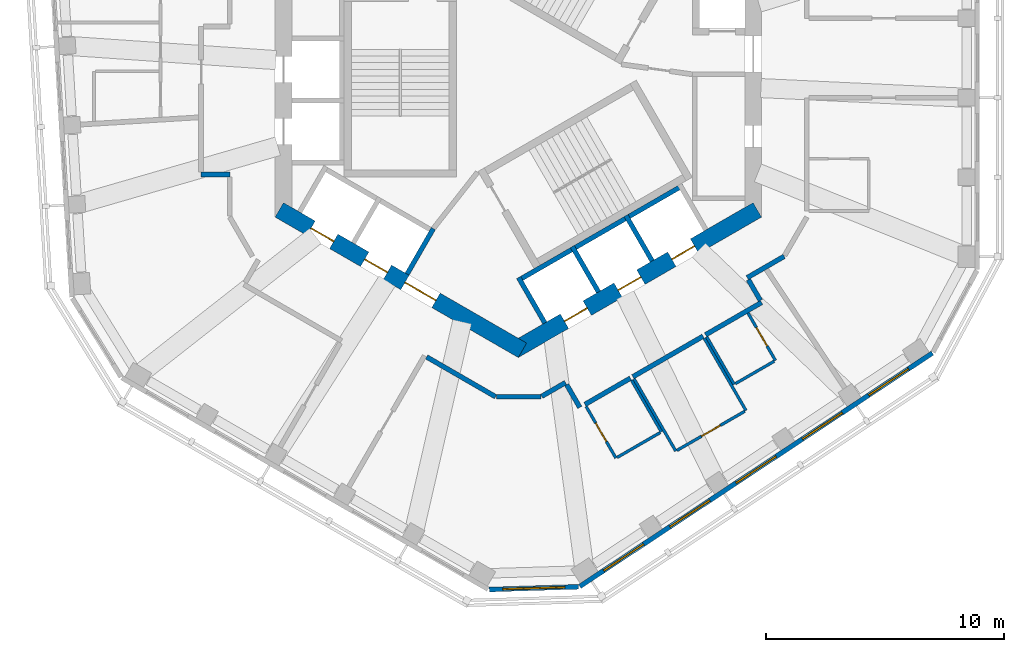
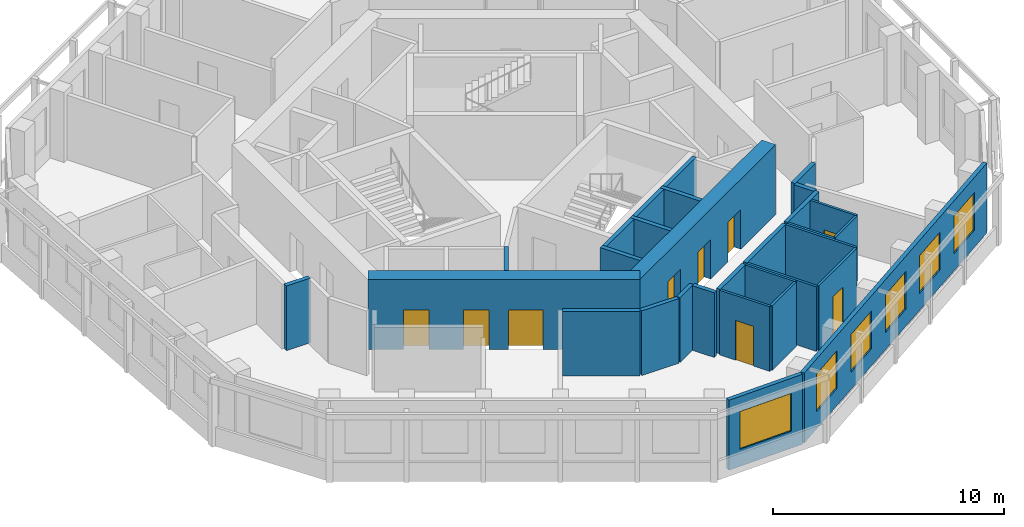
# One storey, part 4 of 11: 28 walls, 9 doors, 6 windows, 15 openings.
"""IFC4 building model written with IfcOpenShell, lengths in metres."""

from ifc_helpers import new_model, si_unit, direction, frame, frame_2d, origin, place, context, subcontext, project, spatial, rectangle, extrude, material, layer, layer_set, type_object, element, fill, save


model = new_model("IFC4")

# Units and contexts
model_context = context("Model", 3, precision=1e-05, world=origin(), true_north=direction((0.0, 1.0)))
body_context = subcontext(model_context, "Body", "Model", "MODEL_VIEW")
ifc_project = project(units=[si_unit("LENGTHUNIT", "METRE"), si_unit("AREAUNIT", "SQUARE_METRE"), si_unit("VOLUMEUNIT", "CUBIC_METRE"), si_unit("PLANEANGLEUNIT", "RADIAN"), si_unit("MASSUNIT", "GRAM", prefix="KILO")], contexts=[model_context])

# Site, building, storey
site_placement = place(None, origin())
site = spatial("IfcSite", under=ifc_project, at=site_placement, CompositionType="ELEMENT")
building_placement = place(site_placement, origin())
building = spatial("IfcBuilding", under=site, at=building_placement, Name="Vanh Sen Convention Tower", CompositionType="ELEMENT")
storey_placement = place(building_placement, frame((0.0, 0.0, 293.10009765625)))
storey = spatial("IfcBuildingStorey", under=building, at=storey_placement, Name="L72", CompositionType="ELEMENT", Elevation=293.10009765625)

# Wall, opening, door
ifc_material_1 = material(Name="Moisture-resistant gypsum board on steel studs", Category="steel")
ifc_layer_1 = layer(ifc_material_1, 0.1201171875)
ifc_layer_set_1 = layer_set([ifc_layer_1], Name="Moisture-resistant gypsum board on steel studs")
wall_type_1 = type_object("IfcWallType", Name="Bathroom partition 120", PredefinedType="PARTITIONING", material=ifc_layer_set_1)
wall_1_placement = place(storey_placement, frame((4.095703125, -15.99609375, 0.0), z_axis=(0.0, 0.0, 1.0), x_axis=(-0.500004234368, 0.866022959057, 0.0)))
wall_1 = element("IfcWall", 1, at=wall_1_placement, inside=storey, type_object=wall_type_1, Name="Bathroom partition 120", PredefinedType="PARTITIONING", context=body_context, shape_type="SweptSolid", body=[
    extrude(rectangle(XDim=2.5, YDim=0.1201171875, at=frame_2d((1.25, 0.0))), origin(), (0.0, 0.0, 1.0), 3.419921875),
])
opening_1_placement = place(wall_1_placement, frame((0.800048828125, 0.0, 0.0)))
opening_1 = element("IfcOpeningElement", 2, at=opening_1_placement, cuts=wall_1, Name="Opening D72116", PredefinedType="OPENING", context=body_context, shape_type="SweptSolid", body=[
    extrude(rectangle(XDim=0.89990234375, YDim=2.10009765625, at=frame_2d((0.449951171875, 1.050048828125))), frame((0.0, 0.070068359375, 0.0), z_axis=(0.0, -1.0, 0.0), x_axis=(1.0, 0.0, 0.0)), (0.0, 0.0, 1.0), 0.14013671875),
])
ifc_material_2 = material(Name="Laminate door in steel frame", Category="steel")
door_type_1 = type_object("IfcDoorType", Name="Room internal door 900", OperationType="SINGLE_SWING_LEFT", PredefinedType="DOOR", material=ifc_material_2)
door_1_placement = place(opening_1_placement, origin())
door_1 = element("IfcDoor", 3, at=door_1_placement, inside=storey, type_object=door_type_1, Name="Internal room door D72116", OperationType="SINGLE_SWING_LEFT", OverallHeight=2.10009765625, OverallWidth=0.89990234375, PredefinedType="DOOR", context=body_context, shape_type="SweptSolid", body=[
    extrude(rectangle(XDim=0.89990234375, YDim=2.10009765625, at=frame_2d((0.449951171875, 1.050048828125))), frame((0.0, 0.02490234375, 0.0), z_axis=(0.0, -1.0, 0.0), x_axis=(1.0, 0.0, 0.0)), (0.0, 0.0, 1.0), 0.050048828125),
])
fill(opening_1, door_1)

# Walls
wall_2_placement = place(storey_placement, frame((4.751220703125, -12.731201171875, 0.0), z_axis=(0.0, 0.0, 1.0), x_axis=(0.500004234368, -0.866022959057, 0.0)))
element("IfcWall", 4, at=wall_2_placement, inside=storey, type_object=wall_type_1, Name="Bathroom partition 120", PredefinedType="PARTITIONING", context=body_context, shape_type="SweptSolid", body=[
    extrude(rectangle(XDim=2.5, YDim=0.1201171875, at=frame_2d((1.25, 0.0))), origin(), (0.0, 0.0, 1.0), 3.419921875),
])
wall_3_placement = place(storey_placement, frame((5.94921875, -14.92626953125, 0.0), z_axis=(0.0, 0.0, 1.0), x_axis=(-0.866039004929, -0.499976441387, 0.0)))
element("IfcWall", 5, at=wall_3_placement, inside=storey, type_object=wall_type_1, Name="Bathroom partition 120", PredefinedType="PARTITIONING", context=body_context, shape_type="SweptSolid", body=[
    extrude(rectangle(XDim=2.080078125, YDim=0.1201171875, at=frame_2d((1.0400390625, 0.0))), origin(), (0.0, 0.0, 1.0), 3.419921875),
])
for number, where, z_axis, x_axis, name in (
    (6, (6.60498046875, -15.7021484375, 0.0), (0.0, 0.0, 1.0), (-0.500010275428, 0.866019471182, 0.0), "Bathroom partition 120"),
    (7, (7.799560546875, -10.97119140625, 0.0), (0.0, 0.0, 1.0), (0.500010275428, -0.866019471182, 0.0), "Bathroom partition 120"),
):
    element("IfcWall", number, at=place(storey_placement, frame(where, z_axis=z_axis, x_axis=x_axis)), inside=storey, type_object=wall_type_1, Name=name, PredefinedType="PARTITIONING", context=body_context, shape_type="SweptSolid", body=[
        extrude(rectangle(XDim=3.5, YDim=0.1201171875, at=frame_2d((1.75, 0.0))), origin(), (0.0, 0.0, 1.0), 3.419921875),
    ])
wall_4_placement = place(storey_placement, frame((9.053466796875, -12.903076171875, 0.0), z_axis=(0.0, 0.0, 1.0), x_axis=(-0.500031774688, 0.866007057882, 0.0)))
element("IfcWall", 8, at=wall_4_placement, inside=storey, type_object=wall_type_1, Name="Bathroom partition 120", PredefinedType="PARTITIONING", context=body_context, shape_type="SweptSolid", body=[
    extrude(rectangle(XDim=2.300048828125, YDim=0.1201171875, at=frame_2d((1.14990234375, 0.0))), origin(), (0.0, 0.0, 1.0), 3.419921875),
])

# Wall, opening, door
wall_5_placement = place(storey_placement, frame((9.49755859375, -14.0322265625, 0.0), z_axis=(0.0, 0.0, 1.0), x_axis=(-0.866040564224, -0.499973740429, 0.0)))
wall_5 = element("IfcWall", 9, at=wall_5_placement, inside=storey, type_object=wall_type_1, Name="Bathroom partition 120", PredefinedType="PARTITIONING", context=body_context, shape_type="SweptSolid", body=[
    extrude(rectangle(XDim=3.280029296875, YDim=0.1201171875, at=frame_2d((1.64013671875, 0.0))), origin(), (0.0, 0.0, 1.0), 3.419921875),
])
opening_2_placement = place(wall_5_placement, frame((1.18994140625, 0.0, 0.0)))
opening_2 = element("IfcOpeningElement", 10, at=opening_2_placement, cuts=wall_5, Name="Opening D72117", PredefinedType="OPENING", context=body_context, shape_type="SweptSolid", body=[
    extrude(rectangle(XDim=0.89990234375, YDim=2.10009765625, at=frame_2d((0.449951171875, 1.050048828125))), frame((0.0, 0.070068359375, 0.0), z_axis=(0.0, -1.0, 0.0), x_axis=(1.0, 0.0, 0.0)), (0.0, 0.0, 1.0), 0.14013671875),
])
door_2_placement = place(opening_2_placement, origin())
door_2 = element("IfcDoor", 11, at=door_2_placement, inside=storey, type_object=door_type_1, Name="Internal room door D72117", OperationType="SINGLE_SWING_LEFT", OverallHeight=2.10009765625, OverallWidth=0.89990234375, PredefinedType="DOOR", context=body_context, shape_type="SweptSolid", body=[
    extrude(rectangle(XDim=0.89990234375, YDim=2.10009765625, at=frame_2d((0.449951171875, 1.050048828125))), frame((0.0, 0.02490234375, 0.0), z_axis=(0.0, -1.0, 0.0), x_axis=(1.0, 0.0, 0.0)), (0.0, 0.0, 1.0), 0.050048828125),
])
fill(opening_2, door_2)

wall_6_placement = place(storey_placement, frame((9.635498046875, -9.9111328125, 0.0), z_axis=(0.0, 0.0, 1.0), x_axis=(0.499952165731, -0.866053019151, 0.0)))
wall_6 = element("IfcWall", 12, at=wall_6_placement, inside=storey, type_object=wall_type_1, Name="Bathroom partition 120", PredefinedType="PARTITIONING", context=body_context, shape_type="SweptSolid", body=[
    extrude(rectangle(XDim=2.300048828125, YDim=0.1201171875, at=frame_2d((1.14990234375, 0.0))), origin(), (0.0, 0.0, 1.0), 3.419921875),
])
opening_3_placement = place(wall_6_placement, frame((0.699951171875, 0.0, 0.0)))
opening_3 = element("IfcOpeningElement", 13, at=opening_3_placement, cuts=wall_6, Name="Opening D72118", PredefinedType="OPENING", context=body_context, shape_type="SweptSolid", body=[
    extrude(rectangle(XDim=0.89990234375, YDim=2.10009765625, at=frame_2d((0.449951171875, 1.050048828125))), frame((0.0, 0.070068359375, 0.0), z_axis=(0.0, -1.0, 0.0), x_axis=(1.0, 0.0, 0.0)), (0.0, 0.0, 1.0), 0.14013671875),
])
door_3_placement = place(opening_3_placement, origin())
door_3 = element("IfcDoor", 14, at=door_3_placement, inside=storey, type_object=door_type_1, Name="Internal room door D72118", OperationType="SINGLE_SWING_LEFT", OverallHeight=2.10009765625, OverallWidth=0.89990234375, PredefinedType="DOOR", context=body_context, shape_type="SweptSolid", body=[
    extrude(rectangle(XDim=0.89990234375, YDim=2.10009765625, at=frame_2d((0.449951171875, 1.050048828125))), frame((0.0, 0.02490234375, 0.0), z_axis=(0.0, -1.0, 0.0), x_axis=(1.0, 0.0, 0.0)), (0.0, 0.0, 1.0), 0.050048828125),
])
fill(opening_3, door_3)

# Wall
wall_7_placement = place(storey_placement, frame((10.7333984375, -11.93310546875, 0.0), z_axis=(0.0, 0.0, 1.0), x_axis=(-0.866012558475, -0.500022248069, 0.0)))
element("IfcWall", 15, at=wall_7_placement, inside=storey, type_object=wall_type_1, Name="Bathroom partition 120", PredefinedType="PARTITIONING", context=body_context, shape_type="SweptSolid", body=[
    extrude(rectangle(XDim=1.8798828125, YDim=0.1201171875, at=frame_2d((0.93994140625, 0.0))), origin(), (0.0, 0.0, 1.0), 3.419921875),
])

# Wall, openings, doors
ifc_material_3 = material(Name="Concrete C60/75", Category="concrete")
ifc_layer_2 = layer(ifc_material_3, 0.699951171875)
ifc_layer_set_2 = layer_set([ifc_layer_2], Name="Concrete C60/75")
wall_type_2 = type_object("IfcWallType", Name="Core outer wall 700 C60/75", PredefinedType="SHEAR", material=ifc_layer_set_2)
wall_8_placement = place(storey_placement, frame((-10.02490234375, -5.5859375, 0.0), z_axis=(0.0, 0.0, 1.0), x_axis=(0.866026453023, -0.499998182661, 0.0)))
wall_8 = element("IfcWall", 16, at=wall_8_placement, inside=storey, type_object=wall_type_2, Name="Core wall face SW L72", PredefinedType="SHEAR", context=body_context, shape_type="SweptSolid", body=[
    extrude(rectangle(XDim=11.77783203125, YDim=0.699951171875, at=frame_2d((5.888916015625, 0.0))), origin(), (0.0, 0.0, 1.0), 3.699951171875),
])
opening_4_placement = place(wall_8_placement, frame((6.089111328125, 0.0, 0.0)))
opening_4 = element("IfcOpeningElement", 17, at=opening_4_placement, cuts=wall_8, Name="Opening D72003", PredefinedType="OPENING", context=body_context, shape_type="SweptSolid", body=[
    extrude(rectangle(XDim=1.5, YDim=2.10009765625, at=frame_2d((0.75, 1.050048828125))), frame((0.0, 0.35986328125, 0.0), z_axis=(0.0, -1.0, 0.0), x_axis=(1.0, 0.0, 0.0)), (0.0, 0.0, 1.0), 0.719970703125),
])
opening_5_placement = place(wall_8_placement, frame((1.5390625, 0.0, 0.0)))
opening_5 = element("IfcOpeningElement", 18, at=opening_5_placement, cuts=wall_8, Name="Opening LD-HR3", PredefinedType="OPENING", context=body_context, shape_type="SweptSolid", body=[
    extrude(rectangle(XDim=1.10009765625, YDim=2.10009765625, at=frame_2d((0.550048828125, 1.050048828125))), frame((0.0, 0.35986328125, 0.0), z_axis=(0.0, -1.0, 0.0), x_axis=(1.0, 0.0, 0.0)), (0.0, 0.0, 1.0), 0.719970703125),
])
opening_6_placement = place(wall_8_placement, frame((4.138916015625, 0.0, 0.0)))
opening_6 = element("IfcOpeningElement", 19, at=opening_6_placement, cuts=wall_8, Name="Opening LD-HR4", PredefinedType="OPENING", context=body_context, shape_type="SweptSolid", body=[
    extrude(rectangle(XDim=1.10009765625, YDim=2.10009765625, at=frame_2d((0.550048828125, 1.050048828125))), frame((0.0, 0.35986328125, 0.0), z_axis=(0.0, -1.0, 0.0), x_axis=(1.0, 0.0, 0.0)), (0.0, 0.0, 1.0), 0.719970703125),
])
ifc_material_4 = material(Name="Stainless steel", Category="steel")
door_type_2 = type_object("IfcDoorType", Name="Lift landing door 1100", OperationType="DOUBLE_DOOR_SLIDING", PredefinedType="DOOR", material=ifc_material_4)
door_4_placement = place(opening_5_placement, origin())
door_4 = element("IfcDoor", 20, at=door_4_placement, inside=storey, type_object=door_type_2, Name="Lift HR3 landing door LD-HR3", OperationType="DOUBLE_DOOR_SLIDING", OverallHeight=2.10009765625, OverallWidth=1.10009765625, PredefinedType="DOOR", context=body_context, shape_type="SweptSolid", body=[
    extrude(rectangle(XDim=1.10009765625, YDim=2.10009765625, at=frame_2d((0.550048828125, 1.050048828125))), frame((0.0, 0.02490234375, 0.0), z_axis=(0.0, -1.0, 0.0), x_axis=(1.0, 0.0, 0.0)), (0.0, 0.0, 1.0), 0.050048828125),
])
fill(opening_5, door_4)
door_5_placement = place(opening_6_placement, origin())
door_5 = element("IfcDoor", 21, at=door_5_placement, inside=storey, type_object=door_type_2, Name="Lift HR4 landing door LD-HR4", OperationType="DOUBLE_DOOR_SLIDING", OverallHeight=2.10009765625, OverallWidth=1.10009765625, PredefinedType="DOOR", context=body_context, shape_type="SweptSolid", body=[
    extrude(rectangle(XDim=1.10009765625, YDim=2.10009765625, at=frame_2d((0.550048828125, 1.050048828125))), frame((0.0, 0.02490234375, 0.0), z_axis=(0.0, -1.0, 0.0), x_axis=(1.0, 0.0, 0.0)), (0.0, 0.0, 1.0), 0.050048828125),
])
fill(opening_6, door_5)
ifc_material_5 = material(Name="Steel S355", Category="steel")
door_type_3 = type_object("IfcDoorType", Name="Stair lobby door 1500", OperationType="DOUBLE_DOOR_SINGLE_SWING", PredefinedType="DOOR", material=ifc_material_5)
door_6_placement = place(opening_4_placement, origin())
door_6 = element("IfcDoor", 22, at=door_6_placement, inside=storey, type_object=door_type_3, Name="Stair lobby door D72003", OperationType="DOUBLE_DOOR_SINGLE_SWING", OverallHeight=2.10009765625, OverallWidth=1.5, PredefinedType="DOOR", context=body_context, shape_type="SweptSolid", body=[
    extrude(rectangle(XDim=1.5, YDim=2.10009765625, at=frame_2d((0.75, 1.050048828125))), frame((0.0, 0.02490234375, 0.0), z_axis=(0.0, -1.0, 0.0), x_axis=(1.0, 0.0, 0.0)), (0.0, 0.0, 1.0), 0.050048828125),
])
fill(opening_4, door_6)

wall_9_placement = place(storey_placement, frame((-0.175048828125, -11.474853515625, 0.0), z_axis=(0.0, 0.0, 1.0), x_axis=(0.866026453023, 0.499998182661, 0.0)))
wall_9 = element("IfcWall", 23, at=wall_9_placement, inside=storey, type_object=wall_type_2, Name="Core wall face SE L72", PredefinedType="SHEAR", context=body_context, shape_type="SweptSolid", body=[
    extrude(rectangle(XDim=11.77783203125, YDim=0.699951171875, at=frame_2d((5.888916015625, 0.0))), origin(), (0.0, 0.0, 1.0), 3.699951171875),
])
opening_7_placement = place(wall_9_placement, frame((2.43896484375, 0.0, 0.0)))
opening_7 = element("IfcOpeningElement", 24, at=opening_7_placement, cuts=wall_9, Name="Opening LD-HR5", PredefinedType="OPENING", context=body_context, shape_type="SweptSolid", body=[
    extrude(rectangle(XDim=1.10009765625, YDim=2.10009765625, at=frame_2d((0.550048828125, 1.050048828125))), frame((0.0, 0.35986328125, 0.0), z_axis=(0.0, -1.0, 0.0), x_axis=(1.0, 0.0, 0.0)), (0.0, 0.0, 1.0), 0.719970703125),
])
opening_8_placement = place(wall_9_placement, frame((5.0390625, 0.0, 0.0)))
opening_8 = element("IfcOpeningElement", 25, at=opening_8_placement, cuts=wall_9, Name="Opening LD-HR6", PredefinedType="OPENING", context=body_context, shape_type="SweptSolid", body=[
    extrude(rectangle(XDim=1.10009765625, YDim=2.10009765625, at=frame_2d((0.550048828125, 1.050048828125))), frame((0.0, 0.35986328125, 0.0), z_axis=(0.0, -1.0, 0.0), x_axis=(1.0, 0.0, 0.0)), (0.0, 0.0, 1.0), 0.719970703125),
])
opening_9_placement = place(wall_9_placement, frame((7.638916015625, 0.0, 0.0)))
opening_9 = element("IfcOpeningElement", 26, at=opening_9_placement, cuts=wall_9, Name="Opening LD-SV1", PredefinedType="OPENING", context=body_context, shape_type="SweptSolid", body=[
    extrude(rectangle(XDim=1.10009765625, YDim=2.10009765625, at=frame_2d((0.550048828125, 1.050048828125))), frame((0.0, 0.35986328125, 0.0), z_axis=(0.0, -1.0, 0.0), x_axis=(1.0, 0.0, 0.0)), (0.0, 0.0, 1.0), 0.719970703125),
])
door_7_placement = place(opening_7_placement, origin())
door_7 = element("IfcDoor", 27, at=door_7_placement, inside=storey, type_object=door_type_2, Name="Lift HR5 landing door LD-HR5", OperationType="DOUBLE_DOOR_SLIDING", OverallHeight=2.10009765625, OverallWidth=1.10009765625, PredefinedType="DOOR", context=body_context, shape_type="SweptSolid", body=[
    extrude(rectangle(XDim=1.10009765625, YDim=2.10009765625, at=frame_2d((0.550048828125, 1.050048828125))), frame((0.0, 0.02490234375, 0.0), z_axis=(0.0, -1.0, 0.0), x_axis=(1.0, 0.0, 0.0)), (0.0, 0.0, 1.0), 0.050048828125),
])
fill(opening_7, door_7)
door_8_placement = place(opening_8_placement, origin())
door_8 = element("IfcDoor", 28, at=door_8_placement, inside=storey, type_object=door_type_2, Name="Lift HR6 landing door LD-HR6", OperationType="DOUBLE_DOOR_SLIDING", OverallHeight=2.10009765625, OverallWidth=1.10009765625, PredefinedType="DOOR", context=body_context, shape_type="SweptSolid", body=[
    extrude(rectangle(XDim=1.10009765625, YDim=2.10009765625, at=frame_2d((0.550048828125, 1.050048828125))), frame((0.0, 0.02490234375, 0.0), z_axis=(0.0, -1.0, 0.0), x_axis=(1.0, 0.0, 0.0)), (0.0, 0.0, 1.0), 0.050048828125),
])
fill(opening_8, door_8)
door_9_placement = place(opening_9_placement, origin())
door_9 = element("IfcDoor", 29, at=door_9_placement, inside=storey, type_object=door_type_2, Name="Lift SV1 landing door LD-SV1", OperationType="DOUBLE_DOOR_SLIDING", OverallHeight=2.10009765625, OverallWidth=1.10009765625, PredefinedType="DOOR", context=body_context, shape_type="SweptSolid", body=[
    extrude(rectangle(XDim=1.10009765625, YDim=2.10009765625, at=frame_2d((0.550048828125, 1.050048828125))), frame((0.0, 0.02490234375, 0.0), z_axis=(0.0, -1.0, 0.0), x_axis=(1.0, 0.0, 0.0)), (0.0, 0.0, 1.0), 0.050048828125),
])
fill(opening_9, door_9)

# Walls
ifc_material_6 = material(Name="Gypsum board on steel studs with mineral wool", Category="steel")
ifc_layer_3 = layer(ifc_material_6, 0.199951171875)
ifc_layer_set_3 = layer_set([ifc_layer_3], Name="Gypsum board on steel studs with mineral wool")
wall_type_3 = type_object("IfcWallType", Name="Corridor partition wall 200", PredefinedType="PARTITIONING", material=ifc_layer_set_3)
wall_10_placement = place(storey_placement, frame((-13.301025390625, -4.10107421875, 0.0), z_axis=(0.0, 0.0, 1.0), x_axis=(1.0, 0.0, 0.0)))
element("IfcWall", 30, at=wall_10_placement, inside=storey, type_object=wall_type_3, Name="Corridor partition wall 200", PredefinedType="PARTITIONING", context=body_context, shape_type="SweptSolid", body=[
    extrude(rectangle(XDim=1.200927734375, YDim=0.199951171875, at=frame_2d((0.6005859375, 0.0))), origin(), (0.0, 0.0, 1.0), 3.419921875),
])
wall_11_placement = place(storey_placement, frame((-3.84326171875, -11.7529296875, 0.0), z_axis=(0.0, 0.0, 1.0), x_axis=(0.866031037473, -0.499990242038, 0.0)))
element("IfcWall", 31, at=wall_11_placement, inside=storey, type_object=wall_type_3, Name="Corridor partition wall 200", PredefinedType="PARTITIONING", context=body_context, shape_type="SweptSolid", body=[
    extrude(rectangle(XDim=3.3408203125, YDim=0.199951171875, at=frame_2d((1.67041015625, 0.0))), origin(), (0.0, 0.0, 1.0), 3.419921875),
])
wall_12_placement = place(storey_placement, frame((-0.909912109375, -13.42333984375, 0.0), z_axis=(0.0, 0.0, 1.0), x_axis=(1.0, 0.0, 0.0)))
element("IfcWall", 32, at=wall_12_placement, inside=storey, type_object=wall_type_3, Name="Corridor partition wall 200", PredefinedType="PARTITIONING", context=body_context, shape_type="SweptSolid", body=[
    extrude(rectangle(XDim=1.85986328125, YDim=0.199951171875, at=frame_2d((0.929931640625, 0.0))), origin(), (0.0, 0.0, 1.0), 3.419921875),
])
wall_13_placement = place(storey_placement, frame((0.984619140625, -13.4033203125, 0.0), z_axis=(0.0, 0.0, 1.0), x_axis=(0.866022668282, 0.500004737999, 0.0)))
element("IfcWall", 33, at=wall_13_placement, inside=storey, type_object=wall_type_3, Name="Corridor partition wall 200", PredefinedType="PARTITIONING", context=body_context, shape_type="SweptSolid", body=[
    extrude(rectangle(XDim=1.14794921875, YDim=0.199951171875, at=frame_2d((0.573974609375, 0.0))), origin(), (0.0, 0.0, 1.0), 3.419921875),
])
wall_14_placement = place(storey_placement, frame((2.02880859375, -12.916015625, 0.0), z_axis=(0.0, 0.0, 1.0), x_axis=(0.500074377092, -0.865982457891, 0.0)))
element("IfcWall", 34, at=wall_14_placement, inside=storey, type_object=wall_type_3, Name="Corridor partition wall 200", PredefinedType="PARTITIONING", context=body_context, shape_type="SweptSolid", body=[
    extrude(rectangle(XDim=1.100830078125, YDim=0.199951171875, at=frame_2d((0.55029296875, 0.0))), origin(), (0.0, 0.0, 1.0), 3.419921875),
])
wall_15_placement = place(storey_placement, frame((2.7958984375, -13.744384765625, 0.0), z_axis=(0.0, 0.0, 1.0), x_axis=(0.86605622881, 0.499946605688, 0.0)))
element("IfcWall", 35, at=wall_15_placement, inside=storey, type_object=wall_type_3, Name="Corridor partition wall 200", PredefinedType="PARTITIONING", context=body_context, shape_type="SweptSolid", body=[
    extrude(rectangle(XDim=2.199951171875, YDim=0.199951171875, at=frame_2d((1.10009765625, 0.0))), origin(), (0.0, 0.0, 1.0), 3.419921875),
])
wall_16_placement = place(storey_placement, frame((4.804931640625, -12.58447265625, 0.0), z_axis=(0.0, 0.0, 1.0), x_axis=(0.866038511948, 0.499977295307, 0.0)))
element("IfcWall", 36, at=wall_16_placement, inside=storey, type_object=wall_type_3, Name="Corridor partition wall 200", PredefinedType="PARTITIONING", context=body_context, shape_type="SweptSolid", body=[
    extrude(rectangle(XDim=3.400146484375, YDim=0.199951171875, at=frame_2d((1.7001953125, 0.0))), origin(), (0.0, 0.0, 1.0), 3.419921875),
])
wall_17_placement = place(storey_placement, frame((7.853515625, -10.824462890625, 0.0), z_axis=(0.0, 0.0, 1.0), x_axis=(0.866029675718, 0.499992600721, 0.0)))
element("IfcWall", 37, at=wall_17_placement, inside=storey, type_object=wall_type_3, Name="Corridor partition wall 200", PredefinedType="PARTITIONING", context=body_context, shape_type="SweptSolid", body=[
    extrude(rectangle(XDim=2.7119140625, YDim=0.199951171875, at=frame_2d((1.35595703125, 0.0))), origin(), (0.0, 0.0, 1.0), 3.419921875),
])
wall_18_placement = place(storey_placement, frame((9.6015625, -8.428466796875, 0.0), z_axis=(0.0, 0.0, 1.0), x_axis=(0.865999114786, 0.500045531117, 0.0)))
element("IfcWall", 38, at=wall_18_placement, inside=storey, type_object=wall_type_3, Name="Corridor partition wall 200", PredefinedType="PARTITIONING", context=body_context, shape_type="SweptSolid", body=[
    extrude(rectangle(XDim=1.787841796875, YDim=0.199951171875, at=frame_2d((0.89404296875, 0.0))), origin(), (0.0, 0.0, 1.0), 3.419921875),
])
wall_19_placement = place(storey_placement, frame((10.152099609375, -9.3818359375, 0.0), z_axis=(0.0, 0.0, 1.0), x_axis=(-0.499968756647, 0.866043441391, 0.0)))
element("IfcWall", 39, at=wall_19_placement, inside=storey, type_object=wall_type_3, Name="Corridor partition wall 200", PredefinedType="PARTITIONING", context=body_context, shape_type="SweptSolid", body=[
    extrude(rectangle(XDim=1.0009765625, YDim=0.199951171875, at=frame_2d((0.50048828125, 0.0))), origin(), (0.0, 0.0, 1.0), 3.419921875),
])

# Wall, opening, window
ifc_material_7 = material(Name="Insulated lightweight infill wall")
ifc_layer_4 = layer(ifc_material_7, 0.199951171875)
ifc_layer_set_4 = layer_set([ifc_layer_4], Name="Insulated lightweight infill wall")
wall_type_4 = type_object("IfcWallType", Name="External wall 200", PredefinedType="STANDARD", material=ifc_layer_set_4)
wall_20_placement = place(storey_placement, frame((-1.21728515625, -21.508056640625, 0.0), z_axis=(0.0, 0.0, 1.0), x_axis=(0.99953295295, 0.030559384285, 0.0)))
wall_20 = element("IfcWall", 40, at=wall_20_placement, inside=storey, type_object=wall_type_4, Name="External wall CH5 L72", PredefinedType="STANDARD", context=body_context, shape_type="SweptSolid", body=[
    extrude(rectangle(XDim=3.746826171875, YDim=0.199951171875, at=frame_2d((1.87353515625, 0.0))), origin(), (0.0, 0.0, 1.0), 3.699951171875),
])
opening_10_placement = place(wall_20_placement, frame((0.573486328125, 0.0, 0.89990234375)))
opening_10 = element("IfcOpeningElement", 41, at=opening_10_placement, cuts=wall_20, Name="Opening WO6-CH51", PredefinedType="OPENING", context=body_context, shape_type="SweptSolid", body=[
    extrude(rectangle(XDim=2.60009765625, YDim=2.0, at=frame_2d((1.300048828125, 1.0))), frame((0.0, 0.10986328125, 0.0), z_axis=(0.0, -1.0, 0.0), x_axis=(1.0, 0.0, 0.0)), (0.0, 0.0, 1.0), 0.219970703125),
])
ifc_material_8 = material(Name="Aluminium frame with clear low-emissivity glass", Category="aluminium")
window_type_1 = type_object("IfcWindowType", Name="Office window 2600 x 2000", PartitioningType="SINGLE_PANEL", PredefinedType="WINDOW", material=ifc_material_8)
window_1_placement = place(opening_10_placement, origin())
window_1 = element("IfcWindow", 42, at=window_1_placement, inside=storey, type_object=window_type_1, Name="Window WO6-CH51", OverallHeight=2.0, OverallWidth=2.60009765625, PartitioningType="SINGLE_PANEL", PredefinedType="WINDOW", context=body_context, shape_type="SweptSolid", body=[
    extrude(rectangle(XDim=2.60009765625, YDim=2.0, at=frame_2d((1.300048828125, 1.0))), frame((0.0, 0.030029296875, 0.0), z_axis=(0.0, -1.0, 0.0), x_axis=(1.0, 0.0, 0.0)), (0.0, 0.0, 1.0), 0.06005859375),
])
fill(opening_10, window_1)

# Wall, openings, windows
wall_21_placement = place(storey_placement, frame((2.580078125, -21.376953125, 0.0), z_axis=(0.0, 0.0, 1.0), x_axis=(0.833888592176, 0.551932800112, 0.0)))
wall_21 = element("IfcWall", 43, at=wall_21_placement, inside=storey, type_object=wall_type_4, Name="External wall SE L72", PredefinedType="STANDARD", context=body_context, shape_type="SweptSolid", body=[
    extrude(rectangle(XDim=17.7314453125, YDim=0.199951171875, at=frame_2d((8.86572265625, 0.0))), origin(), (0.0, 0.0, 1.0), 3.699951171875),
])
opening_11_placement = place(wall_21_placement, frame((1.20166015625, 0.0, 0.89990234375)))
opening_11 = element("IfcOpeningElement", 44, at=opening_11_placement, cuts=wall_21, Name="Opening WO5-SE1", PredefinedType="OPENING", context=body_context, shape_type="SweptSolid", body=[
    extrude(rectangle(XDim=2.0, YDim=2.0, at=frame_2d((1.0, 1.0))), frame((0.0, 0.10986328125, 0.0), z_axis=(0.0, -1.0, 0.0), x_axis=(1.0, 0.0, 0.0)), (0.0, 0.0, 1.0), 0.219970703125),
])
opening_12_placement = place(wall_21_placement, frame((4.533203125, 0.0, 0.89990234375)))
opening_12 = element("IfcOpeningElement", 45, at=opening_12_placement, cuts=wall_21, Name="Opening WO5-SE2", PredefinedType="OPENING", context=body_context, shape_type="SweptSolid", body=[
    extrude(rectangle(XDim=2.0, YDim=2.0, at=frame_2d((1.0, 1.0))), frame((0.0, 0.10986328125, 0.0), z_axis=(0.0, -1.0, 0.0), x_axis=(1.0, 0.0, 0.0)), (0.0, 0.0, 1.0), 0.219970703125),
])
opening_13_placement = place(wall_21_placement, frame((7.864990234375, 0.0, 0.89990234375)))
opening_13 = element("IfcOpeningElement", 46, at=opening_13_placement, cuts=wall_21, Name="Opening WO5-SE3", PredefinedType="OPENING", context=body_context, shape_type="SweptSolid", body=[
    extrude(rectangle(XDim=2.0, YDim=2.0, at=frame_2d((1.0, 1.0))), frame((0.0, 0.10986328125, 0.0), z_axis=(0.0, -1.0, 0.0), x_axis=(1.0, 0.0, 0.0)), (0.0, 0.0, 1.0), 0.219970703125),
])
opening_14_placement = place(wall_21_placement, frame((11.196533203125, 0.0, 0.89990234375)))
opening_14 = element("IfcOpeningElement", 47, at=opening_14_placement, cuts=wall_21, Name="Opening WO5-SE4", PredefinedType="OPENING", context=body_context, shape_type="SweptSolid", body=[
    extrude(rectangle(XDim=2.0, YDim=2.0, at=frame_2d((1.0, 1.0))), frame((0.0, 0.10986328125, 0.0), z_axis=(0.0, -1.0, 0.0), x_axis=(1.0, 0.0, 0.0)), (0.0, 0.0, 1.0), 0.219970703125),
])
opening_15_placement = place(wall_21_placement, frame((14.528076171875, 0.0, 0.89990234375)))
opening_15 = element("IfcOpeningElement", 48, at=opening_15_placement, cuts=wall_21, Name="Opening WO5-SE5", PredefinedType="OPENING", context=body_context, shape_type="SweptSolid", body=[
    extrude(rectangle(XDim=2.0, YDim=2.0, at=frame_2d((1.0, 1.0))), frame((0.0, 0.10986328125, 0.0), z_axis=(0.0, -1.0, 0.0), x_axis=(1.0, 0.0, 0.0)), (0.0, 0.0, 1.0), 0.219970703125),
])
window_type_2 = type_object("IfcWindowType", Name="Office window 2000 x 2000", PartitioningType="SINGLE_PANEL", PredefinedType="WINDOW", material=ifc_material_8)
window_2_placement = place(opening_11_placement, origin())
window_2 = element("IfcWindow", 49, at=window_2_placement, inside=storey, type_object=window_type_2, Name="Window WO5-SE1", OverallHeight=2.0, OverallWidth=2.0, PartitioningType="SINGLE_PANEL", PredefinedType="WINDOW", context=body_context, shape_type="SweptSolid", body=[
    extrude(rectangle(XDim=2.0, YDim=2.0, at=frame_2d((1.0, 1.0))), frame((0.0, 0.030029296875, 0.0), z_axis=(0.0, -1.0, 0.0), x_axis=(1.0, 0.0, 0.0)), (0.0, 0.0, 1.0), 0.06005859375),
])
fill(opening_11, window_2)
window_3_placement = place(opening_12_placement, origin())
window_3 = element("IfcWindow", 50, at=window_3_placement, inside=storey, type_object=window_type_2, Name="Window WO5-SE2", OverallHeight=2.0, OverallWidth=2.0, PartitioningType="SINGLE_PANEL", PredefinedType="WINDOW", context=body_context, shape_type="SweptSolid", body=[
    extrude(rectangle(XDim=2.0, YDim=2.0, at=frame_2d((1.0, 1.0))), frame((0.0, 0.030029296875, 0.0), z_axis=(0.0, -1.0, 0.0), x_axis=(1.0, 0.0, 0.0)), (0.0, 0.0, 1.0), 0.06005859375),
])
fill(opening_12, window_3)
window_4_placement = place(opening_13_placement, origin())
window_4 = element("IfcWindow", 51, at=window_4_placement, inside=storey, type_object=window_type_2, Name="Window WO5-SE3", OverallHeight=2.0, OverallWidth=2.0, PartitioningType="SINGLE_PANEL", PredefinedType="WINDOW", context=body_context, shape_type="SweptSolid", body=[
    extrude(rectangle(XDim=2.0, YDim=2.0, at=frame_2d((1.0, 1.0))), frame((0.0, 0.030029296875, 0.0), z_axis=(0.0, -1.0, 0.0), x_axis=(1.0, 0.0, 0.0)), (0.0, 0.0, 1.0), 0.06005859375),
])
fill(opening_13, window_4)
window_5_placement = place(opening_14_placement, origin())
window_5 = element("IfcWindow", 52, at=window_5_placement, inside=storey, type_object=window_type_2, Name="Window WO5-SE4", OverallHeight=2.0, OverallWidth=2.0, PartitioningType="SINGLE_PANEL", PredefinedType="WINDOW", context=body_context, shape_type="SweptSolid", body=[
    extrude(rectangle(XDim=2.0, YDim=2.0, at=frame_2d((1.0, 1.0))), frame((0.0, 0.030029296875, 0.0), z_axis=(0.0, -1.0, 0.0), x_axis=(1.0, 0.0, 0.0)), (0.0, 0.0, 1.0), 0.06005859375),
])
fill(opening_14, window_5)
window_6_placement = place(opening_15_placement, origin())
window_6 = element("IfcWindow", 53, at=window_6_placement, inside=storey, type_object=window_type_2, Name="Window WO5-SE5", OverallHeight=2.0, OverallWidth=2.0, PartitioningType="SINGLE_PANEL", PredefinedType="WINDOW", context=body_context, shape_type="SweptSolid", body=[
    extrude(rectangle(XDim=2.0, YDim=2.0, at=frame_2d((1.0, 1.0))), frame((0.0, 0.030029296875, 0.0), z_axis=(0.0, -1.0, 0.0), x_axis=(1.0, 0.0, 0.0)), (0.0, 0.0, 1.0), 0.06005859375),
])
fill(opening_15, window_6)

# Walls
ifc_material_9 = material(Name="Concrete C40/50", Category="concrete")
ifc_layer_5 = layer(ifc_material_9, 0.199951171875)
ifc_layer_set_5 = layer_set([ifc_layer_5], Name="Concrete C40/50")
wall_type_5 = type_object("IfcWallType", Name="Lift shaft wall 200", PredefinedType="PARTITIONING", material=ifc_layer_set_5)
wall_22_placement = place(storey_placement, frame((-3.5634765625, -6.3720703125, 0.0), z_axis=(0.0, 0.0, 1.0), x_axis=(-0.499994660107, -0.866028486751, 0.0)))
element("IfcWall", 54, at=wall_22_placement, inside=storey, type_object=wall_type_5, Name="Lift shaft wall L72", PredefinedType="PARTITIONING", context=body_context, shape_type="SweptSolid", body=[
    extrude(rectangle(XDim=2.19970703125, YDim=0.199951171875, at=frame_2d((1.099853515625, 0.0))), origin(), (0.0, 0.0, 1.0), 3.419921875),
])
wall_23_placement = place(storey_placement, frame((-0.02392578125, -8.55859375, 0.0), z_axis=(0.0, 0.0, 1.0), x_axis=(0.866026010844, 0.49999894854, 0.0)))
element("IfcWall", 55, at=wall_23_placement, inside=storey, type_object=wall_type_5, Name="Lift shaft wall L72", PredefinedType="PARTITIONING", context=body_context, shape_type="SweptSolid", body=[
    extrude(rectangle(XDim=8.0, YDim=0.199951171875, at=frame_2d((4.0, 0.0))), origin(), (0.0, 0.0, 1.0), 3.419921875),
])
for number, where, z_axis, x_axis, name in (
    (56, (0.0126953125, -8.422119140625, 0.0), (0.0, 0.0, 1.0), (0.500077893725, -0.86598042715, 0.0), "Lift shaft wall L72"),
    (57, (2.264404296875, -7.1220703125, 0.0), (0.0, 0.0, 1.0), (0.500077893725, -0.86598042715, 0.0), "Lift shaft wall L72"),
    (58, (4.51611328125, -5.822021484375, 0.0), (0.0, 0.0, 1.0), (0.499946605688, -0.86605622881, 0.0), "Lift shaft wall L72"),
):
    element("IfcWall", number, at=place(storey_placement, frame(where, z_axis=z_axis, x_axis=x_axis)), inside=storey, type_object=wall_type_5, Name=name, PredefinedType="PARTITIONING", context=body_context, shape_type="SweptSolid", body=[
        extrude(rectangle(XDim=2.199951171875, YDim=0.199951171875, at=frame_2d((1.10009765625, 0.0))), origin(), (0.0, 0.0, 1.0), 3.419921875),
    ])

save(model, "model.ifc")
